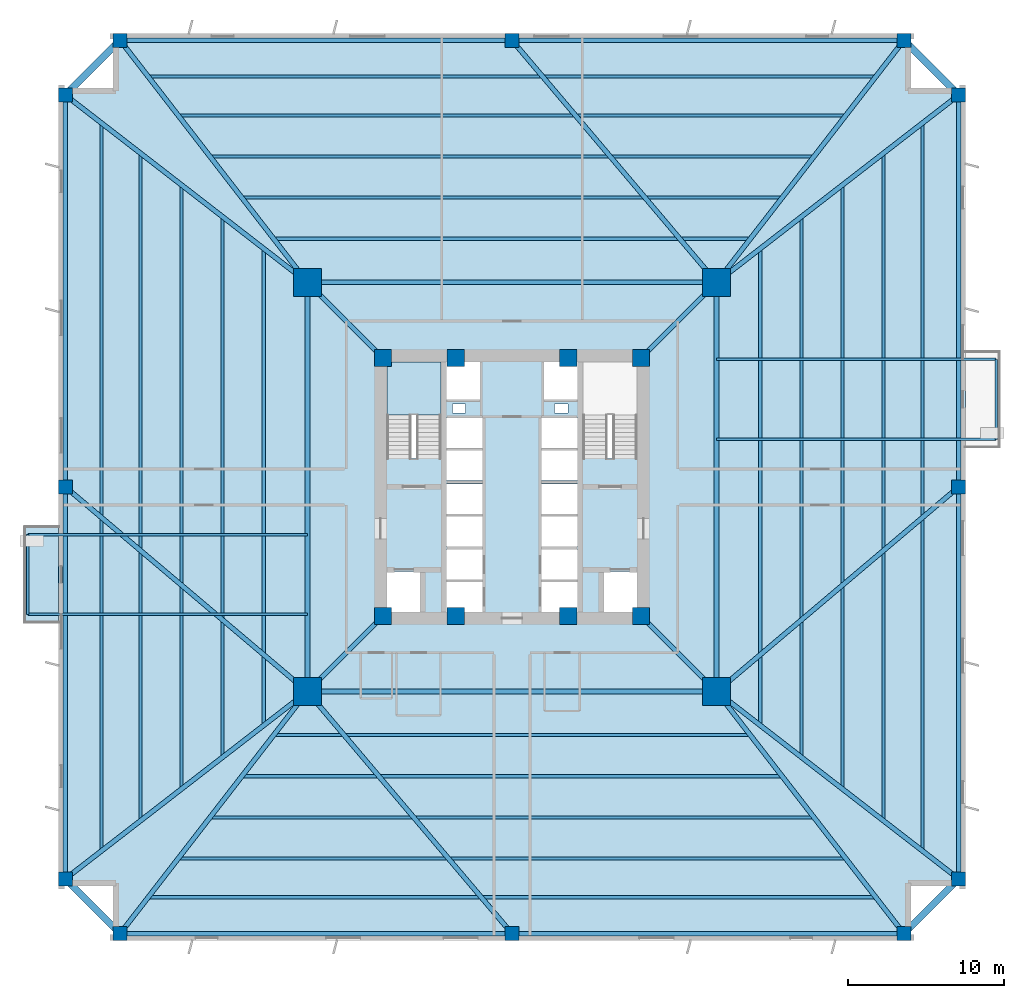
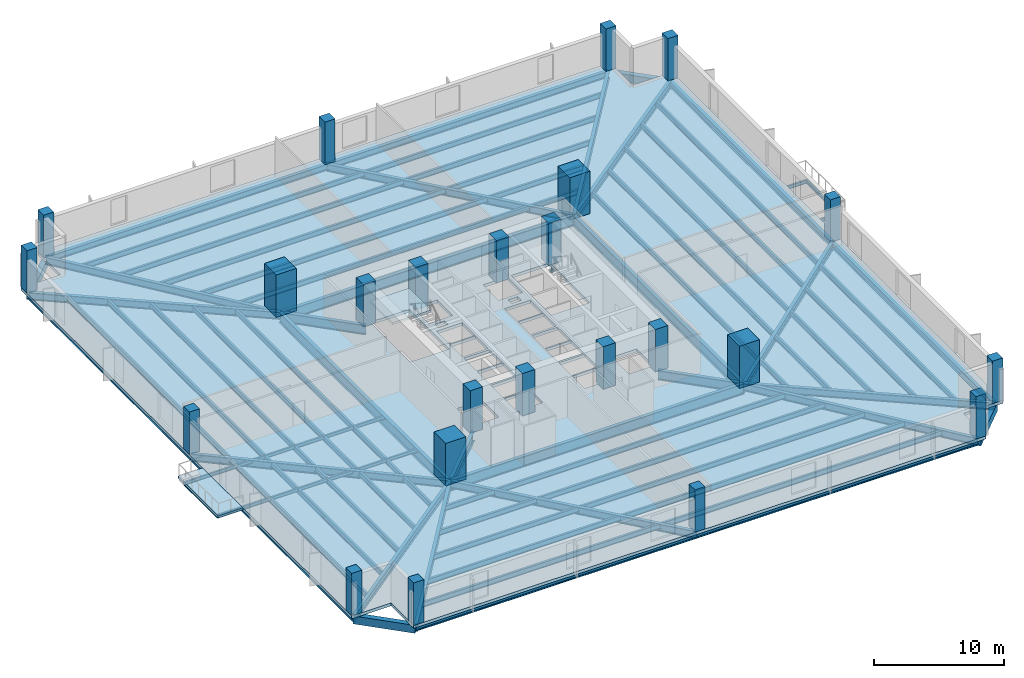
# One storey, part 1 of 8: 58 beams, 24 columns, 3 slabs, 1 element without a shape of its own.
"""IFC4 building model written with IfcOpenShell, lengths in metres."""

from ifc_helpers import new_model, si_unit, direction, frame, origin, origin_2d, place, context, subcontext, project, spatial, polyline, rectangle, i_section, outline, extrude, source, transform, mapped, material, layer, layer_set, material_profile, profile_set, type_object, element, aggregate, save


model = new_model("IFC4")

# Units and contexts
model_context = context("Model", 3, precision=1e-05, world=origin(), true_north=direction((0.0, 1.0)))
body_context = subcontext(model_context, "Body", "Model", "MODEL_VIEW")
ifc_project = project(units=[si_unit("LENGTHUNIT", "METRE"), si_unit("AREAUNIT", "SQUARE_METRE"), si_unit("VOLUMEUNIT", "CUBIC_METRE"), si_unit("PLANEANGLEUNIT", "RADIAN"), si_unit("MASSUNIT", "GRAM", prefix="KILO"), si_unit("THERMODYNAMICTEMPERATUREUNIT", "KELVIN")], contexts=[model_context])

# Site, building, storey
site_placement = place(None, origin())
site = spatial("IfcSite", under=ifc_project, at=site_placement, CompositionType="ELEMENT")
building_placement = place(site_placement, origin())
building = spatial("IfcBuilding", under=site, at=building_placement, Name="Kosmvard Interchange Tower", CompositionType="ELEMENT")
storey_placement = place(building_placement, frame((0.0, 0.0, 34.0)))
storey = spatial("IfcBuildingStorey", under=building, at=storey_placement, Name="L07", CompositionType="ELEMENT", Elevation=34.0)

# Columns
ifc_material_1 = material(Name="Concrete C80/95", Category="concrete")
ifc_material_profile_1 = material_profile(ifc_material_1, rectangle(XDim=1.10009765625, YDim=1.10009765625, at=origin_2d()), Name="CP 1100x1100")
ifc_profile_set_1 = profile_set([ifc_material_profile_1], Name="Concrete C80/95")
column_type_1 = type_object("IfcColumnType", Name="Core Boundary Pilaster 1100x1100 C80/95", PredefinedType="PILASTER", material=ifc_profile_set_1)
shared_shape_1 = source(origin(), body_context, "Body", "SweptSolid", [
    extrude(rectangle(XDim=1.10009765625, YDim=1.10009765625, at=origin_2d()), origin(), (0.0, 0.0, 1.0), 4.0),
])
for number, where, z_axis, x_axis, name in (
    (1, (-8.25, -8.25, 0.0), (0.0, 0.0, 1.0), (1.0, 0.0, 0.0), "L07 Core Pilaster CP1"),
    (2, (8.25, -8.25, 0.0), (0.0, 0.0, 1.0), (1.0, 0.0, 0.0), "L07 Core Pilaster CP2"),
    (3, (8.25, 8.25, 0.0), (0.0, 0.0, 1.0), (1.0, 0.0, 0.0), "L07 Core Pilaster CP3"),
    (4, (-8.25, 8.25, 0.0), (0.0, 0.0, 1.0), (1.0, 0.0, 0.0), "L07 Core Pilaster CP4"),
    (5, (-3.60009765625, -8.25, 0.0), (0.0, 0.0, 1.0), (1.0, 0.0, 0.0), "L07 Core Pilaster CP5"),
    (6, (3.60009765625, -8.25, 0.0), (0.0, 0.0, 1.0), (1.0, 0.0, 0.0), "L07 Core Pilaster CP6"),
    (7, (-3.60009765625, 8.25, 0.0), (0.0, 0.0, 1.0), (1.0, 0.0, 0.0), "L07 Core Pilaster CP7"),
    (8, (3.60009765625, 8.25, 0.0), (0.0, 0.0, 1.0), (1.0, 0.0, 0.0), "L07 Core Pilaster CP8"),
):
    element("IfcColumn", number, at=place(storey_placement, frame(where, z_axis=z_axis, x_axis=x_axis)), inside=storey, type_object=column_type_1, Name=name, PredefinedType="PILASTER", context=body_context, shape_type="MappedRepresentation", body=[
        mapped(shared_shape_1, transform((0.0, 0.0, 0.0), scale=1.0)),
    ])
ifc_material_profile_2 = material_profile(ifc_material_1, rectangle(XDim=1.800048828125, YDim=1.800048828125, at=origin_2d()), Name="MC 1800x1800")
ifc_profile_set_2 = profile_set([ifc_material_profile_2], Name="Concrete C80/95")
column_type_2 = type_object("IfcColumnType", Name="Composite Mega-Column 1800x1800 C80/95", PredefinedType="COLUMN", material=ifc_profile_set_2)
shared_shape_2 = source(origin(), body_context, "Body", "SweptSolid", [
    extrude(rectangle(XDim=1.800048828125, YDim=1.800048828125, at=origin_2d()), origin(), (0.0, 0.0, 1.0), 4.0),
])
for number, where, z_axis, x_axis, name in (
    (9, (-13.0810546875, -13.0810546875, 0.0), (0.0, 0.0, 1.0), (1.0, 0.0, 0.0), "L07 Corner Mega-Column MC1"),
    (10, (13.0810546875, -13.0810546875, 0.0), (0.0, 0.0, 1.0), (1.0, 0.0, 0.0), "L07 Corner Mega-Column MC2"),
    (11, (13.0810546875, 13.0810546875, 0.0), (0.0, 0.0, 1.0), (1.0, 0.0, 0.0), "L07 Corner Mega-Column MC3"),
    (12, (-13.0810546875, 13.0810546875, 0.0), (0.0, 0.0, 1.0), (1.0, 0.0, 0.0), "L07 Corner Mega-Column MC4"),
):
    element("IfcColumn", number, at=place(storey_placement, frame(where, z_axis=z_axis, x_axis=x_axis)), inside=storey, type_object=column_type_2, Name=name, PredefinedType="COLUMN", context=body_context, shape_type="MappedRepresentation", body=[
        mapped(shared_shape_2, transform((0.0, 0.0, 0.0), scale=1.0)),
    ])
ifc_material_2 = material(Name="Concrete C60/75", Category="concrete")
ifc_material_profile_3 = material_profile(ifc_material_2, rectangle(XDim=0.89990234375, YDim=0.89990234375, at=origin_2d()), Name="TC 900x900")
ifc_profile_set_3 = profile_set([ifc_material_profile_3], Name="Concrete C60/75")
column_type_3 = type_object("IfcColumnType", Name="Zone 1 Perimeter Pier Column 900x900 C60/75", PredefinedType="COLUMN", material=ifc_profile_set_3)
shared_shape_3 = source(origin(), body_context, "Body", "SweptSolid", [
    extrude(rectangle(XDim=0.89990234375, YDim=0.89990234375, at=origin_2d()), origin(), (0.0, 0.0, 1.0), 4.0),
])
for number, where, z_axis, x_axis, name in (
    (13, (-25.050048828125, -28.550048828125, 0.0), (0.0, 0.0, 1.0), (1.0, 0.0, 0.0), "L07 Perimeter Pier Column TC-S1"),
    (14, (0.0, -28.550048828125, 0.0), (0.0, 0.0, 1.0), (1.0, 0.0, 0.0), "L07 Perimeter Pier Column TC-S2"),
    (15, (25.050048828125, -28.550048828125, 0.0), (0.0, 0.0, 1.0), (1.0, 0.0, 0.0), "L07 Perimeter Pier Column TC-S3"),
    (16, (28.550048828125, -25.050048828125, 0.0), (0.0, 0.0, 1.0), (1.0, 0.0, 0.0), "L07 Perimeter Pier Column TC-E1"),
    (17, (28.550048828125, 0.0, 0.0), (0.0, 0.0, 1.0), (1.0, 0.0, 0.0), "L07 Perimeter Pier Column TC-E2"),
    (18, (28.550048828125, 25.050048828125, 0.0), (0.0, 0.0, 1.0), (1.0, 0.0, 0.0), "L07 Perimeter Pier Column TC-E3"),
    (19, (25.050048828125, 28.550048828125, 0.0), (0.0, 0.0, 1.0), (1.0, 0.0, 0.0), "L07 Perimeter Pier Column TC-N1"),
    (20, (0.0, 28.550048828125, 0.0), (0.0, 0.0, 1.0), (1.0, 0.0, 0.0), "L07 Perimeter Pier Column TC-N2"),
    (21, (-25.050048828125, 28.550048828125, 0.0), (0.0, 0.0, 1.0), (1.0, 0.0, 0.0), "L07 Perimeter Pier Column TC-N3"),
    (22, (-28.550048828125, 25.050048828125, 0.0), (0.0, 0.0, 1.0), (1.0, 0.0, 0.0), "L07 Perimeter Pier Column TC-W1"),
    (23, (-28.550048828125, 0.0, 0.0), (0.0, 0.0, 1.0), (1.0, 0.0, 0.0), "L07 Perimeter Pier Column TC-W2"),
    (24, (-28.550048828125, -25.050048828125, 0.0), (0.0, 0.0, 1.0), (1.0, 0.0, 0.0), "L07 Perimeter Pier Column TC-W3"),
):
    element("IfcColumn", number, at=place(storey_placement, frame(where, z_axis=z_axis, x_axis=x_axis)), inside=storey, type_object=column_type_3, Name=name, PredefinedType="COLUMN", context=body_context, shape_type="MappedRepresentation", body=[
        mapped(shared_shape_3, transform((0.0, 0.0, 0.0), scale=1.0)),
    ])

# Beams
ifc_material_3 = material(Name="Steel S460", Category="steel")
ifc_material_profile_4 = material_profile(ifc_material_3, i_section(OverallWidth=0.30810546875, OverallDepth=0.909912109375, WebThickness=0.02099609375, FlangeThickness=0.0400390625, FilletRadius=0.027099609375, at=origin_2d()), Name="HEM 900")
ifc_profile_set_4 = profile_set([ifc_material_profile_4], Name="Steel S460")
beam_type_1 = type_object("IfcBeamType", Name="Primary Mega-Frame Girder HEM 900 S460", PredefinedType="BEAM", material=ifc_profile_set_4)
shared_shape_4 = source(origin(), body_context, "Body", "SweptSolid", [
    extrude(i_section(OverallWidth=0.30810546875, OverallDepth=0.909912109375, WebThickness=0.02099609375, FlangeThickness=0.0400390625, FilletRadius=0.027099609375, at=origin_2d()), origin(), (0.0, 0.0, 1.0), 6.83203125),
])
for number, where, z_axis, x_axis, name in (
    (25, (-8.25, -8.25, -0.735107421875), (-0.707106781187, -0.707106781187, 0.0), (0.707106781187, -0.707106781187, 0.0), "L07 Radial Mega-Frame Girder 1"),
    (26, (8.25, -8.25, -0.735107421875), (0.707106781187, -0.707106781187, 0.0), (0.707106781187, 0.707106781187, 0.0), "L07 Radial Mega-Frame Girder 2"),
    (27, (8.25, 8.25, -0.735107421875), (0.707106781187, 0.707106781187, 0.0), (-0.707106781187, 0.707106781187, 0.0), "L07 Radial Mega-Frame Girder 3"),
    (28, (-8.25, 8.25, -0.735107421875), (-0.707106781187, 0.707106781187, 0.0), (-0.707106781187, -0.707106781187, 0.0), "L07 Radial Mega-Frame Girder 4"),
):
    element("IfcBeam", number, at=place(storey_placement, frame(where, z_axis=z_axis, x_axis=x_axis)), inside=storey, type_object=beam_type_1, Name=name, PredefinedType="BEAM", context=body_context, shape_type="MappedRepresentation", body=[
        mapped(shared_shape_4, transform((0.0, 0.0, 0.0), scale=1.0)),
    ])
ifc_material_profile_5 = material_profile(ifc_material_3, i_section(OverallWidth=0.30908203125, OverallDepth=1.008056640625, WebThickness=0.02099609375, FlangeThickness=0.0400390625, FilletRadius=0.030029296875, at=origin_2d()), Name="HEM 1000")
ifc_profile_set_5 = profile_set([ifc_material_profile_5], Name="Steel S460")
beam_type_2 = type_object("IfcBeamType", Name="Mega-Column Ring Girder HEM 1000 S460", PredefinedType="BEAM", material=ifc_profile_set_5)
shared_shape_5 = source(origin(), body_context, "Body", "SweptSolid", [
    extrude(i_section(OverallWidth=0.30908203125, OverallDepth=1.008056640625, WebThickness=0.02099609375, FlangeThickness=0.0400390625, FilletRadius=0.030029296875, at=origin_2d()), origin(), (0.0, 0.0, 1.0), 26.162109375),
])
for number, where, z_axis, x_axis, name in (
    (29, (-13.0810546875, -13.0810546875, -0.783935546875), (1.0, 0.0, 0.0), (0.0, 1.0, 0.0), "L07 Mega-Column Ring Girder 1"),
    (30, (13.0810546875, -13.0810546875, -0.783935546875), (0.0, 1.0, 0.0), (-1.0, 0.0, 0.0), "L07 Mega-Column Ring Girder 2"),
    (31, (13.0810546875, 13.0810546875, -0.783935546875), (-1.0, 0.0, 0.0), (0.0, -1.0, 0.0), "L07 Mega-Column Ring Girder 3"),
    (32, (-13.0810546875, 13.0810546875, -0.783935546875), (0.0, -1.0, 0.0), (1.0, 0.0, 0.0), "L07 Mega-Column Ring Girder 4"),
):
    element("IfcBeam", number, at=place(storey_placement, frame(where, z_axis=z_axis, x_axis=x_axis)), inside=storey, type_object=beam_type_2, Name=name, PredefinedType="BEAM", context=body_context, shape_type="MappedRepresentation", body=[
        mapped(shared_shape_5, transform((0.0, 0.0, 0.0), scale=1.0)),
    ])
ifc_material_4 = material(Name="Steel S355", Category="steel")
ifc_material_profile_6 = material_profile(ifc_material_4, i_section(OverallWidth=0.159912109375, OverallDepth=0.330078125, WebThickness=0.007568359375, FlangeThickness=0.011474609375, FilletRadius=0.01806640625, at=origin_2d()), Name="IPE 330")
ifc_profile_set_6 = profile_set([ifc_material_profile_6], Name="Steel S355")
beam_type_3 = type_object("IfcBeamType", Name="Balcony Cantilever Joist IPE 330 S355", PredefinedType="JOIST", material=ifc_profile_set_6)
shared_shape_6 = source(origin(), body_context, "Body", "SweptSolid", [
    extrude(i_section(OverallWidth=0.159912109375, OverallDepth=0.330078125, WebThickness=0.007568359375, FlangeThickness=0.011474609375, FilletRadius=0.01806640625, at=origin_2d()), origin(), (0.0, 0.0, 1.0), 17.868896484375),
])
for number, where, z_axis, x_axis, name in (
    (33, (13.0810546875, 3.050048828125, -0.445068359375), (1.0, 0.0, 0.0), (0.0, 1.0, 0.0), "BM-L07-BJ1"),
    (34, (13.0810546875, 8.14990234375, -0.445068359375), (1.0, 0.0, 0.0), (0.0, 1.0, 0.0), "BM-L07-BJB1"),
    (35, (-13.0810546875, -3.050048828125, -0.445068359375), (-1.0, 0.0, 0.0), (0.0, -1.0, 0.0), "BM-L07-BJ2"),
    (36, (-13.0810546875, -8.14990234375, -0.445068359375), (-1.0, 0.0, 0.0), (0.0, -1.0, 0.0), "BM-L07-BJB2"),
):
    element("IfcBeam", number, at=place(storey_placement, frame(where, z_axis=z_axis, x_axis=x_axis)), inside=storey, type_object=beam_type_3, Name=name, PredefinedType="JOIST", context=body_context, shape_type="MappedRepresentation", body=[
        mapped(shared_shape_6, transform((0.0, 0.0, 0.0), scale=1.0)),
    ])
ifc_material_profile_7 = material_profile(ifc_material_4, i_section(OverallWidth=0.14990234375, OverallDepth=0.300048828125, WebThickness=0.007080078125, FlangeThickness=0.0107421875, FilletRadius=0.014892578125, at=origin_2d()), Name="IPE 300")
ifc_profile_set_7 = profile_set([ifc_material_profile_7], Name="Steel S355")
beam_type_4 = type_object("IfcBeamType", Name="Balcony Edge Header Joist IPE 300 S355", PredefinedType="JOIST", material=ifc_profile_set_7)
shared_shape_7 = source(origin(), body_context, "Body", "SweptSolid", [
    extrude(i_section(OverallWidth=0.14990234375, OverallDepth=0.300048828125, WebThickness=0.007080078125, FlangeThickness=0.0107421875, FilletRadius=0.014892578125, at=origin_2d()), origin(), (0.0, 0.0, 1.0), 5.099853515625),
])
for number, where, z_axis, x_axis, name in (
    (37, (30.949951171875, 3.050048828125, -0.429931640625), (0.0, 1.0, 0.0), (-1.0, 0.0, 0.0), "BM-L07-BJH1"),
    (38, (-30.949951171875, -3.050048828125, -0.429931640625), (0.0, -1.0, 0.0), (1.0, 0.0, 0.0), "BM-L07-BJH2"),
):
    element("IfcBeam", number, at=place(storey_placement, frame(where, z_axis=z_axis, x_axis=x_axis)), inside=storey, type_object=beam_type_4, Name=name, PredefinedType="JOIST", context=body_context, shape_type="MappedRepresentation", body=[
        mapped(shared_shape_7, transform((0.0, 0.0, 0.0), scale=1.0)),
    ])
ifc_material_profile_8 = material_profile(ifc_material_4, i_section(OverallWidth=0.300048828125, OverallDepth=0.60009765625, WebThickness=0.015380859375, FlangeThickness=0.030029296875, FilletRadius=0.027099609375, at=origin_2d()), Name="HEB 600")
ifc_profile_set_8 = profile_set([ifc_material_profile_8], Name="Steel S355")
beam_type_5 = type_object("IfcBeamType", Name="Perimeter Tie Girder HEB 600 S355", PredefinedType="BEAM", material=ifc_profile_set_8)
shared_shape_8 = source(origin(), body_context, "Body", "SweptSolid", [
    extrude(i_section(OverallWidth=0.300048828125, OverallDepth=0.60009765625, WebThickness=0.015380859375, FlangeThickness=0.030029296875, FilletRadius=0.027099609375, at=origin_2d()), origin(), (0.0, 0.0, 1.0), 25.050048828125),
])
for number, where, z_axis, x_axis, name in (
    (39, (-25.050048828125, -28.550048828125, -0.580078125), (1.0, 0.0, 0.0), (0.0, 1.0, 0.0), "BM-L07-PR01"),
    (40, (0.0, -28.550048828125, -0.580078125), (1.0, 0.0, 0.0), (0.0, 1.0, 0.0), "BM-L07-PR02"),
    (41, (28.550048828125, -25.050048828125, -0.580078125), (0.0, 1.0, 0.0), (-1.0, 0.0, 0.0), "BM-L07-PR04"),
    (42, (28.550048828125, 0.0, -0.580078125), (0.0, 1.0, 0.0), (-1.0, 0.0, 0.0), "BM-L07-PR05"),
    (43, (25.050048828125, 28.550048828125, -0.580078125), (-1.0, 0.0, 0.0), (0.0, -1.0, 0.0), "BM-L07-PR07"),
    (44, (0.0, 28.550048828125, -0.580078125), (-1.0, 0.0, 0.0), (0.0, -1.0, 0.0), "BM-L07-PR08"),
    (45, (-28.550048828125, 25.050048828125, -0.580078125), (0.0, -1.0, 0.0), (1.0, 0.0, 0.0), "BM-L07-PR10"),
    (46, (-28.550048828125, 0.0, -0.580078125), (0.0, -1.0, 0.0), (1.0, 0.0, 0.0), "BM-L07-PR11"),
):
    element("IfcBeam", number, at=place(storey_placement, frame(where, z_axis=z_axis, x_axis=x_axis)), inside=storey, type_object=beam_type_5, Name=name, PredefinedType="BEAM", context=body_context, shape_type="MappedRepresentation", body=[
        mapped(shared_shape_8, transform((0.0, 0.0, 0.0), scale=1.0)),
    ])
ifc_material_profile_9 = material_profile(ifc_material_4, i_section(OverallWidth=0.300048828125, OverallDepth=0.699951171875, WebThickness=0.01708984375, FlangeThickness=0.031982421875, FilletRadius=0.027099609375, at=origin_2d()), Name="HEB 700")
ifc_profile_set_9 = profile_set([ifc_material_profile_9], Name="Steel S355")
beam_type_6 = type_object("IfcBeamType", Name="Primary Floor Girder HEB 700 S355", PredefinedType="BEAM", material=ifc_profile_set_9)
shared_shape_9 = source(origin(), body_context, "Body", "SweptSolid", [
    extrude(i_section(OverallWidth=0.300048828125, OverallDepth=0.699951171875, WebThickness=0.01708984375, FlangeThickness=0.031982421875, FilletRadius=0.027099609375, at=origin_2d()), origin(), (0.0, 0.0, 1.0), 19.558837890625),
])
for number, where, z_axis, x_axis, name in (
    (47, (-13.0810546875, -13.0810546875, -0.6298828125), (-0.611949354357, -0.79089695138, 0.0), (0.79089695138, -0.611949354357, 0.0), "BM-L07-RD01"),
    (48, (13.0810546875, -13.0810546875, -0.6298828125), (0.611949354357, -0.79089695138, 0.0), (0.79089695138, 0.611949354357, 0.0), "BM-L07-RD03"),
    (49, (13.0810546875, -13.0810546875, -0.6298828125), (0.79089695138, -0.611949354357, 0.0), (0.611949354357, 0.79089695138, 0.0), "BM-L07-RD04"),
    (50, (13.0810546875, 13.0810546875, -0.6298828125), (0.79089695138, 0.611949354357, 0.0), (-0.611949354357, 0.79089695138, 0.0), "BM-L07-RD06"),
    (51, (13.0810546875, 13.0810546875, -0.6298828125), (0.611949354357, 0.79089695138, 0.0), (-0.79089695138, 0.611949354357, 0.0), "BM-L07-RD07"),
    (52, (-13.0810546875, 13.0810546875, -0.6298828125), (-0.611949354357, 0.79089695138, 0.0), (-0.79089695138, -0.611949354357, 0.0), "BM-L07-RD09"),
    (53, (-13.0810546875, 13.0810546875, -0.6298828125), (-0.79089695138, 0.611949354357, 0.0), (-0.611949354357, -0.79089695138, 0.0), "BM-L07-RD10"),
    (54, (-13.0810546875, -13.0810546875, -0.6298828125), (-0.79089695138, -0.611949354357, 0.0), (0.611949354357, -0.79089695138, 0.0), "BM-L07-RD12"),
):
    element("IfcBeam", number, at=place(storey_placement, frame(where, z_axis=z_axis, x_axis=x_axis)), inside=storey, type_object=beam_type_6, Name=name, PredefinedType="BEAM", context=body_context, shape_type="MappedRepresentation", body=[
        mapped(shared_shape_9, transform((0.0, 0.0, 0.0), scale=1.0)),
    ])
shared_shape_10 = source(origin(), body_context, "Body", "SweptSolid", [
    extrude(i_section(OverallWidth=0.300048828125, OverallDepth=0.699951171875, WebThickness=0.01708984375, FlangeThickness=0.031982421875, FilletRadius=0.027099609375, at=origin_2d()), origin(), (0.0, 0.0, 1.0), 20.258544921875),
])
for number, where, z_axis, x_axis, name in (
    (55, (-13.0810546875, -13.0810546875, -0.6298828125), (0.645709371734, -0.763583268056, 0.0), (0.763583268056, 0.645709371734, 0.0), "BM-L07-RD02"),
    (56, (13.0810546875, -13.0810546875, -0.6298828125), (0.763583268056, 0.645709371734, 0.0), (-0.645709371734, 0.763583268056, 0.0), "BM-L07-RD05"),
    (57, (13.0810546875, 13.0810546875, -0.6298828125), (-0.645709371734, 0.763583268056, 0.0), (-0.763583268056, -0.645709371734, 0.0), "BM-L07-RD08"),
    (58, (-13.0810546875, -13.0810546875, -0.6298828125), (-0.763583268056, 0.645709371734, 0.0), (-0.645709371734, -0.763583268056, 0.0), "BM-L07-RD11"),
):
    element("IfcBeam", number, at=place(storey_placement, frame(where, z_axis=z_axis, x_axis=x_axis)), inside=storey, type_object=beam_type_6, Name=name, PredefinedType="BEAM", context=body_context, shape_type="MappedRepresentation", body=[
        mapped(shared_shape_10, transform((0.0, 0.0, 0.0), scale=1.0)),
    ])
ifc_material_5 = material(Name="Precast concrete C45/55", Category="concrete")
ifc_material_profile_10 = material_profile(ifc_material_5, rectangle(XDim=0.449951171875, YDim=0.75, at=origin_2d()), Name="SL 450x750")
ifc_profile_set_10 = profile_set([ifc_material_profile_10], Name="Precast concrete C45/55")
beam_type_7 = type_object("IfcBeamType", Name="Precast Spandrel Lintel 450x750 C45/55", PredefinedType="LINTEL", material=ifc_profile_set_10)
shared_shape_11 = source(origin(), body_context, "Body", "SweptSolid", [
    extrude(rectangle(XDim=0.449951171875, YDim=0.75, at=origin_2d()), origin(), (0.0, 0.0, 1.0), 4.94970703125),
])
for number, where, z_axis, x_axis, name in (
    (59, (25.050048828125, -28.550048828125, -0.655029296875), (0.707106781187, 0.707106781187, 0.0), (-0.707106781187, 0.707106781187, 0.0), "BM-L07-SL1"),
    (60, (28.550048828125, 25.050048828125, -0.655029296875), (-0.707106781187, 0.707106781187, 0.0), (-0.707106781187, -0.707106781187, 0.0), "BM-L07-SL2"),
    (61, (-25.050048828125, 28.550048828125, -0.655029296875), (-0.707106781187, -0.707106781187, 0.0), (0.707106781187, -0.707106781187, 0.0), "BM-L07-SL3"),
    (62, (-28.550048828125, -25.050048828125, -0.655029296875), (0.707106781187, -0.707106781187, 0.0), (0.707106781187, 0.707106781187, 0.0), "BM-L07-SL4"),
):
    element("IfcBeam", number, at=place(storey_placement, frame(where, z_axis=z_axis, x_axis=x_axis)), inside=storey, type_object=beam_type_7, Name=name, PredefinedType="LINTEL", context=body_context, shape_type="MappedRepresentation", body=[
        mapped(shared_shape_11, transform((0.0, 0.0, 0.0), scale=1.0)),
    ])
ifc_material_profile_11 = material_profile(ifc_material_4, i_section(OverallWidth=0.199951171875, OverallDepth=0.5, WebThickness=0.01025390625, FlangeThickness=0.01611328125, FilletRadius=0.02099609375, at=origin_2d()), Name="IPE 500")
ifc_profile_set_11 = profile_set([ifc_material_profile_11], Name="Steel S355")
beam_type_8 = type_object("IfcBeamType", Name="Standard Floor Joist IPE 500 S355", PredefinedType="JOIST", material=ifc_profile_set_11)
shared_shape_12 = source(origin(), body_context, "Body", "SweptSolid", [
    extrude(i_section(OverallWidth=0.199951171875, OverallDepth=0.5, WebThickness=0.01025390625, FlangeThickness=0.01611328125, FilletRadius=0.02099609375, at=origin_2d()), origin(), (0.0, 0.0, 1.0), 30.31103515625),
])
for number, where, z_axis, x_axis, name in (
    (63, (-15.155517578125, -15.865478515625, -0.530029296875), (1.0, 0.0, 0.0), (0.0, 1.0, 0.0), "BM-L07-FJ01"),
    (64, (15.865478515625, -15.155517578125, -0.530029296875), (0.0, 1.0, 0.0), (-1.0, 0.0, 0.0), "BM-L07-FJ06"),
    (65, (15.155517578125, 15.865478515625, -0.530029296875), (-1.0, 0.0, 0.0), (0.0, -1.0, 0.0), "BM-L07-FJ11"),
    (66, (-15.865478515625, 15.155517578125, -0.530029296875), (0.0, -1.0, 0.0), (1.0, 0.0, 0.0), "BM-L07-FJ16"),
):
    element("IfcBeam", number, at=place(storey_placement, frame(where, z_axis=z_axis, x_axis=x_axis)), inside=storey, type_object=beam_type_8, Name=name, PredefinedType="JOIST", context=body_context, shape_type="MappedRepresentation", body=[
        mapped(shared_shape_12, transform((0.0, 0.0, 0.0), scale=1.0)),
    ])
shared_shape_13 = source(origin(), body_context, "Body", "SweptSolid", [
    extrude(i_section(OverallWidth=0.199951171875, OverallDepth=0.5, WebThickness=0.01025390625, FlangeThickness=0.01611328125, FilletRadius=0.02099609375, at=origin_2d()), origin(), (0.0, 0.0, 1.0), 34.38037109375),
])
for number, where, z_axis, x_axis, name in (
    (67, (-17.190185546875, -18.4951171875, -0.530029296875), (1.0, 0.0, 0.0), (0.0, 1.0, 0.0), "BM-L07-FJ02"),
    (68, (18.4951171875, -17.190185546875, -0.530029296875), (0.0, 1.0, 0.0), (-1.0, 0.0, 0.0), "BM-L07-FJ07"),
    (69, (17.190185546875, 18.4951171875, -0.530029296875), (-1.0, 0.0, 0.0), (0.0, -1.0, 0.0), "BM-L07-FJ12"),
    (70, (-18.4951171875, 17.190185546875, -0.530029296875), (0.0, -1.0, 0.0), (1.0, 0.0, 0.0), "BM-L07-FJ17"),
):
    element("IfcBeam", number, at=place(storey_placement, frame(where, z_axis=z_axis, x_axis=x_axis)), inside=storey, type_object=beam_type_8, Name=name, PredefinedType="JOIST", context=body_context, shape_type="MappedRepresentation", body=[
        mapped(shared_shape_13, transform((0.0, 0.0, 0.0), scale=1.0)),
    ])
shared_shape_14 = source(origin(), body_context, "Body", "SweptSolid", [
    extrude(i_section(OverallWidth=0.199951171875, OverallDepth=0.5, WebThickness=0.01025390625, FlangeThickness=0.01611328125, FilletRadius=0.02099609375, at=origin_2d()), origin(), (0.0, 0.0, 1.0), 38.44970703125),
])
for number, where, z_axis, x_axis, name in (
    (71, (-19.224853515625, -21.125, -0.530029296875), (1.0, 0.0, 0.0), (0.0, 1.0, 0.0), "BM-L07-FJ03"),
    (72, (21.125, -19.224853515625, -0.530029296875), (0.0, 1.0, 0.0), (-1.0, 0.0, 0.0), "BM-L07-FJ08"),
    (73, (19.224853515625, 21.125, -0.530029296875), (-1.0, 0.0, 0.0), (0.0, -1.0, 0.0), "BM-L07-FJ13"),
    (74, (-21.125, 19.224853515625, -0.530029296875), (0.0, -1.0, 0.0), (1.0, 0.0, 0.0), "BM-L07-FJ18"),
):
    element("IfcBeam", number, at=place(storey_placement, frame(where, z_axis=z_axis, x_axis=x_axis)), inside=storey, type_object=beam_type_8, Name=name, PredefinedType="JOIST", context=body_context, shape_type="MappedRepresentation", body=[
        mapped(shared_shape_14, transform((0.0, 0.0, 0.0), scale=1.0)),
    ])
shared_shape_15 = source(origin(), body_context, "Body", "SweptSolid", [
    extrude(i_section(OverallWidth=0.199951171875, OverallDepth=0.5, WebThickness=0.01025390625, FlangeThickness=0.01611328125, FilletRadius=0.02099609375, at=origin_2d()), origin(), (0.0, 0.0, 1.0), 42.51904296875),
])
for number, where, z_axis, x_axis, name in (
    (75, (-21.259521484375, -23.754638671875, -0.530029296875), (1.0, 0.0, 0.0), (0.0, 1.0, 0.0), "BM-L07-FJ04"),
    (76, (23.754638671875, -21.259521484375, -0.530029296875), (0.0, 1.0, 0.0), (-1.0, 0.0, 0.0), "BM-L07-FJ09"),
    (77, (21.259521484375, 23.754638671875, -0.530029296875), (-1.0, 0.0, 0.0), (0.0, -1.0, 0.0), "BM-L07-FJ14"),
    (78, (-23.754638671875, 21.259521484375, -0.530029296875), (0.0, -1.0, 0.0), (1.0, 0.0, 0.0), "BM-L07-FJ19"),
):
    element("IfcBeam", number, at=place(storey_placement, frame(where, z_axis=z_axis, x_axis=x_axis)), inside=storey, type_object=beam_type_8, Name=name, PredefinedType="JOIST", context=body_context, shape_type="MappedRepresentation", body=[
        mapped(shared_shape_15, transform((0.0, 0.0, 0.0), scale=1.0)),
    ])
shared_shape_16 = source(origin(), body_context, "Body", "SweptSolid", [
    extrude(i_section(OverallWidth=0.199951171875, OverallDepth=0.5, WebThickness=0.01025390625, FlangeThickness=0.01611328125, FilletRadius=0.02099609375, at=origin_2d()), origin(), (0.0, 0.0, 1.0), 46.34912109375),
])
for number, where, z_axis, x_axis, name in (
    (79, (-23.174560546875, -26.229736328125, -0.530029296875), (1.0, 0.0, 0.0), (0.0, 1.0, 0.0), "BM-L07-FJ05"),
    (80, (26.229736328125, -23.174560546875, -0.530029296875), (0.0, 1.0, 0.0), (-1.0, 0.0, 0.0), "BM-L07-FJ10"),
    (81, (23.174560546875, 26.229736328125, -0.530029296875), (-1.0, 0.0, 0.0), (0.0, -1.0, 0.0), "BM-L07-FJ15"),
    (82, (-26.229736328125, 23.174560546875, -0.530029296875), (0.0, -1.0, 0.0), (1.0, 0.0, 0.0), "BM-L07-FJ20"),
):
    element("IfcBeam", number, at=place(storey_placement, frame(where, z_axis=z_axis, x_axis=x_axis)), inside=storey, type_object=beam_type_8, Name=name, PredefinedType="JOIST", context=body_context, shape_type="MappedRepresentation", body=[
        mapped(shared_shape_16, transform((0.0, 0.0, 0.0), scale=1.0)),
    ])

# Slab
ifc_material_6 = material(Name="Concrete C50/60", Category="concrete")
ifc_layer_1 = layer(ifc_material_6, 0.280029296875, Name="Concrete C50/60")
ifc_layer_set_1 = layer_set([ifc_layer_1], Name="Concrete C50/60")
slab_type_1 = type_object("IfcSlabType", Name="Low-Rise Office Composite Slab 280 C50/60", PredefinedType="FLOOR", material=ifc_layer_set_1)
slab_1_placement = place(storey_placement, frame((0.0, 0.0, -0.280029296875)))
element("IfcSlab", 83, at=slab_1_placement, inside=storey, type_object=slab_type_1, Name="L07 Structural Floor Slab", PredefinedType="FLOOR", context=body_context, shape_type="SweptSolid", body=[
    extrude(outline(polyline([(-25.5, -29.0), (25.5, -29.0), (25.5, -25.5), (29.0, -25.5), (29.0, 25.5), (25.5, 25.5), (25.5, 29.0), (-25.5, 29.0), (-25.5, 25.5), (-29.0, 25.5), (-29.0, -25.5), (-25.5, -25.5), (-25.5, -29.0)]), holes=[polyline([(-8.0, 1.8349609375), (-4.5400390625, 1.8349609375), (-4.5400390625, 8.0), (-8.0, 8.0), (-8.0, 1.8349609375)]), polyline([(4.5400390625, 1.8349609375), (8.0, 1.8349609375), (8.0, 8.0), (4.5400390625, 8.0), (4.5400390625, 1.8349609375)]), polyline([(-8.0, -8.0), (-5.800048828125, -8.0), (-5.800048828125, -5.39990234375), (-8.0, -5.39990234375), (-8.0, -8.0)]), polyline([(5.800048828125, -8.0), (8.0, -8.0), (8.0, -5.39990234375), (5.800048828125, -5.39990234375), (5.800048828125, -8.0)]), polyline([(-4.179931640625, -8.0), (-1.8798828125, -8.0), (-1.8798828125, -6.06005859375), (-4.179931640625, -6.06005859375), (-4.179931640625, -8.0)]), polyline([(-4.179931640625, -5.93994140625), (-1.8798828125, -5.93994140625), (-1.8798828125, -4.0), (-4.179931640625, -4.0), (-4.179931640625, -5.93994140625)]), polyline([(1.8798828125, -8.0), (4.179931640625, -8.0), (4.179931640625, -6.06005859375), (1.8798828125, -6.06005859375), (1.8798828125, -8.0)]), polyline([(1.8798828125, -5.93994140625), (4.179931640625, -5.93994140625), (4.179931640625, -4.0), (1.8798828125, -4.0), (1.8798828125, -5.93994140625)]), polyline([(-4.179931640625, -3.800048828125), (-1.8798828125, -3.800048828125), (-1.8798828125, -1.860107421875), (-4.179931640625, -1.860107421875), (-4.179931640625, -3.800048828125)]), polyline([(-4.179931640625, -1.739990234375), (-1.8798828125, -1.739990234375), (-1.8798828125, 0.199951171875), (-4.179931640625, 0.199951171875), (-4.179931640625, -1.739990234375)]), polyline([(1.8798828125, -3.800048828125), (4.179931640625, -3.800048828125), (4.179931640625, -1.860107421875), (1.8798828125, -1.860107421875), (1.8798828125, -3.800048828125)]), polyline([(1.8798828125, -1.739990234375), (4.179931640625, -1.739990234375), (4.179931640625, 0.199951171875), (1.8798828125, 0.199951171875), (1.8798828125, -1.739990234375)]), polyline([(-4.179931640625, 0.39990234375), (-1.8798828125, 0.39990234375), (-1.8798828125, 2.340087890625), (-4.179931640625, 2.340087890625), (-4.179931640625, 0.39990234375)]), polyline([(-4.179931640625, 2.4599609375), (-1.8798828125, 2.4599609375), (-1.8798828125, 4.39990234375), (-4.179931640625, 4.39990234375), (-4.179931640625, 2.4599609375)]), polyline([(1.8798828125, 0.39990234375), (4.179931640625, 0.39990234375), (4.179931640625, 2.340087890625), (1.8798828125, 2.340087890625), (1.8798828125, 0.39990234375)]), polyline([(1.8798828125, 2.4599609375), (4.179931640625, 2.4599609375), (4.179931640625, 4.39990234375), (1.8798828125, 4.39990234375), (1.8798828125, 2.4599609375)]), polyline([(-4.179931640625, 5.60009765625), (-2.0400390625, 5.60009765625), (-2.0400390625, 8.0), (-4.179931640625, 8.0), (-4.179931640625, 5.60009765625)]), polyline([(2.0400390625, 5.60009765625), (4.179931640625, 5.60009765625), (4.179931640625, 8.0), (2.0400390625, 8.0), (2.0400390625, 5.60009765625)]), polyline([(-3.81494140625, 4.739990234375), (-2.965087890625, 4.739990234375), (-2.965087890625, 5.2900390625), (-3.81494140625, 5.2900390625), (-3.81494140625, 4.739990234375)]), polyline([(2.715087890625, 4.739990234375), (3.56494140625, 4.739990234375), (3.56494140625, 5.2900390625), (2.715087890625, 5.2900390625), (2.715087890625, 4.739990234375)])]), origin(), (0.0, 0.0, 1.0), 0.280029296875),
])

# Stair, slab
stair_type = type_object("IfcStairType", Name="Dog-Leg Core Exit Stair H4000 C50/60", PredefinedType="HALF_TURN_STAIR", material=ifc_material_6)
stair_placement = place(storey_placement, origin())
stair = element("IfcStair", 84, at=stair_placement, inside=storey, type_object=stair_type, Name="L07 Protected Exit Stair ST-1", PredefinedType="HALF_TURN_STAIR")
ifc_layer_2 = layer(ifc_material_6, 0.199951171875, Name="Concrete C50/60")
ifc_layer_set_2 = layer_set([ifc_layer_2], Name="Concrete C50/60")
slab_type_2 = type_object("IfcSlabType", Name="Stair Half-Landing Slab 200 C50/60", PredefinedType="LANDING", material=ifc_layer_set_2)
slab_2_placement = place(storey_placement, frame((0.0, 0.0, 1.800048828125)))
slab_2 = element("IfcSlab", 85, at=slab_2_placement, type_object=slab_type_2, Name="ST-1 landing 1", PredefinedType="LANDING", context=body_context, shape_type="SweptSolid", body=[
    extrude(outline(polyline([(-4.5400390625, 4.60009765625), (-4.5400390625, 8.0), (-8.0, 8.0), (-8.0, 4.60009765625), (-4.5400390625, 4.60009765625)])), origin(), (0.0, 0.0, 1.0), 0.199951171875),
])
aggregate(stair, [slab_2])

# Slab
ifc_layer_3 = layer(ifc_material_6, 0.22998046875, Name="Concrete C50/60")
ifc_layer_set_3 = layer_set([ifc_layer_3], Name="Concrete C50/60")
slab_type_3 = type_object("IfcSlabType", Name="Tree-Planter Cantilever Balcony Slab 230 C50/60", PredefinedType="FLOOR", material=ifc_layer_set_3)
slab_3_placement = place(storey_placement, frame((0.0, 0.0, -0.22998046875)))
element("IfcSlab", 86, at=slab_3_placement, inside=storey, type_object=slab_type_3, Name="L07 Outdoor Terrace Balcony Slab BAL-L07-W", PredefinedType="FLOOR", context=body_context, shape_type="SweptSolid", body=[
    extrude(outline(polyline([(-31.199951171875, -8.699951171875), (-29.0, -8.699951171875), (-29.0, -2.5), (-31.199951171875, -2.5), (-31.199951171875, -8.699951171875)])), origin(), (0.0, 0.0, 1.0), 0.22998046875),
])

save(model, "model.ifc")
